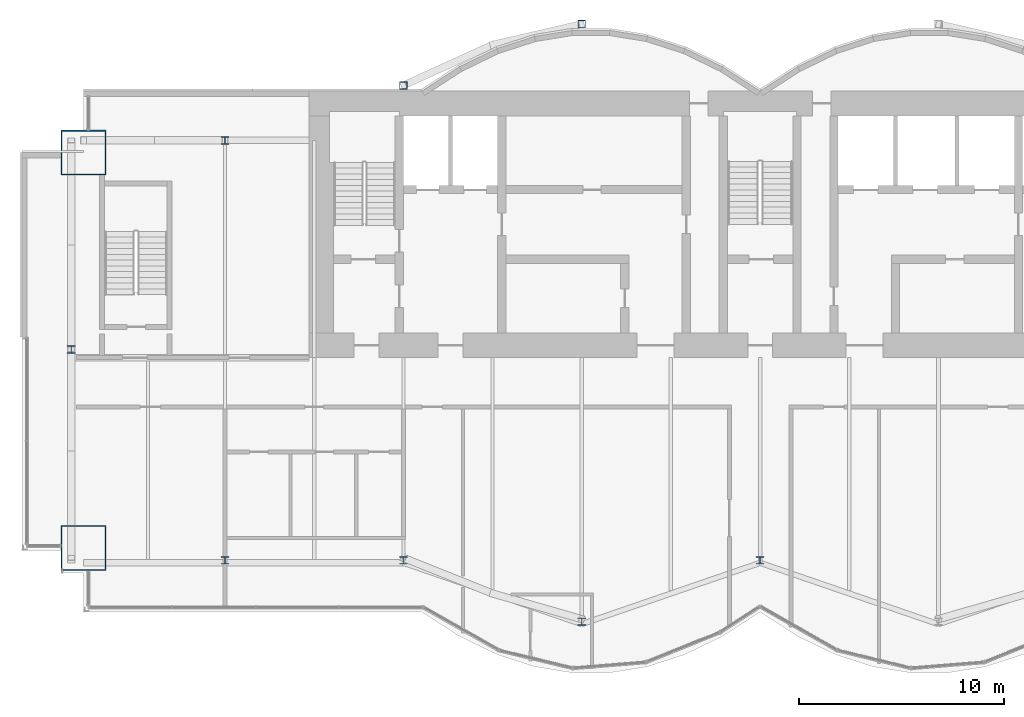
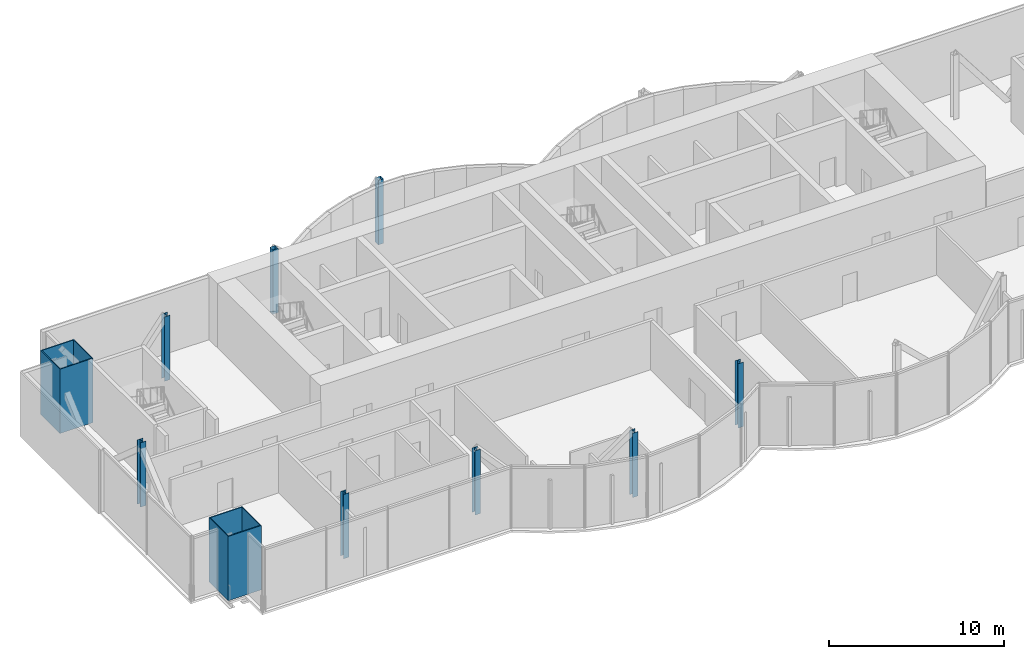
# One storey, part 1 of 16: 10 columns.
"""IFC4 building model written with IfcOpenShell, lengths in metres."""

import ifcopenshell
import ifcopenshell.guid

model = None  # the IFC model being written
_history = None  # IfcOwnerHistory: only IFC2X3 demands one
_inside = {}  # id of a spatial element -> (the spatial element, [elements in it])
_under = {}  # id of a project, library or spatial element -> (it, [spatial elements below it])
_declared = {}  # id of a project -> (the project, [libraries it declares])
_typed = {}  # id of a type object -> (the type object, [elements of that type])
_made_of = {}  # id of a material, layer set ... -> (it, [elements and type objects made of it])


def new_model(schema):
    """Start an empty IFC model of exactly this schema.

    Asked for "IFC4X3", IfcOpenShell would pick the latest addendum, in which some entities
    have other attributes; the version numbers below select the first issue.
    IFC2X3 requires an IfcOwnerHistory on every rooted entity: one is made here for all.
    """
    global model, _history
    if schema == "IFC4X3":
        model = ifcopenshell.file(schema_version=(4, 3, 0, 0))
    else:
        model = ifcopenshell.file(schema=schema)
    _inside.clear()
    _under.clear()
    _declared.clear()
    _typed.clear()
    _made_of.clear()
    _history = None
    if model.schema == "IFC2X3":
        org = make("IfcOrganization", Name="unknown")
        user = make(
            "IfcPersonAndOrganization",
            ThePerson=make("IfcPerson", FamilyName="unknown"),
            TheOrganization=org,
        )
        app = make(
            "IfcApplication",
            ApplicationDeveloper=org,
            Version="unknown",
            ApplicationFullName="unknown",
            ApplicationIdentifier="unknown",
        )
        _history = make(
            "IfcOwnerHistory",
            OwningUser=user,
            OwningApplication=app,
            ChangeAction="ADDED",
            CreationDate=0,
        )
    return model


def make(cls, **values):
    """One entity of the class cls with the attributes given. An attribute that is None is left unset."""
    return model.create_entity(
        cls, **{name: value for name, value in values.items() if value is not None}
    )


def rooted(cls, **values):
    """An entity with a GlobalId (a new one), such as an element, a storey or a relation."""
    return make(cls, GlobalId=ifcopenshell.guid.new(), OwnerHistory=_history, **values)


def si_unit(unit_type, name, prefix=None):
    """IfcSIUnit, for example si_unit("LENGTHUNIT", "METRE", prefix="MILLI")."""
    return make("IfcSIUnit", UnitType=unit_type, Prefix=prefix, Name=name)


def assignment(units):
    """IfcUnitAssignment: the units of a project."""
    return None if units is None else make("IfcUnitAssignment", Units=units)


def point(xyz):
    """IfcCartesianPoint."""
    return None if xyz is None else make("IfcCartesianPoint", Coordinates=xyz)


def direction(xyz):
    """IfcDirection."""
    return None if xyz is None else make("IfcDirection", DirectionRatios=xyz)


def frame(location, z_axis=None, x_axis=None):
    """IfcAxis2Placement3D, a coordinate frame: its origin and axes. An axis left out is left unset."""
    return make(
        "IfcAxis2Placement3D",
        Location=point(location),
        Axis=direction(z_axis),
        RefDirection=direction(x_axis),
    )


def frame_2d(location, x_axis=None):
    """IfcAxis2Placement2D, a coordinate frame in the plane: its origin and x axis."""
    return make(
        "IfcAxis2Placement2D", Location=point(location), RefDirection=direction(x_axis)
    )


def origin():
    """The frame at (0, 0, 0) with its axes left unset."""
    return frame((0.0, 0.0, 0.0))


def origin_2d():
    """The frame at (0, 0) in the plane with its x axis left unset."""
    return frame_2d((0.0, 0.0))


def place(relative_to, where):
    """IfcLocalPlacement: puts the frame where relative to a parent placement (None: the world)."""
    return make(
        "IfcLocalPlacement", PlacementRelTo=relative_to, RelativePlacement=where
    )


def context(
    kind, dimensions, precision=None, world=None, true_north=None, identifier=None
):
    """IfcGeometricRepresentationContext, for example the 3D "Model" context."""
    return make(
        "IfcGeometricRepresentationContext",
        ContextIdentifier=identifier,
        ContextType=kind,
        CoordinateSpaceDimension=dimensions,
        Precision=precision,
        WorldCoordinateSystem=world,
        TrueNorth=true_north,
    )


def subcontext(parent, identifier, kind, view, scale=None):
    """IfcGeometricRepresentationSubContext, for example "Body" below "Model"."""
    return make(
        "IfcGeometricRepresentationSubContext",
        ContextIdentifier=identifier,
        ContextType=kind,
        ParentContext=parent,
        TargetScale=scale,
        TargetView=view,
    )


def project(units=None, contexts=None):
    """IfcProject with its units and contexts."""
    return rooted(
        "IfcProject",
        Name="project",
        RepresentationContexts=contexts,
        UnitsInContext=assignment(units),
    )


def spatial(cls, under=None, at=None, **own):
    """A site, building, storey or space (cls), placed at a placement, below another one or the project."""
    s = rooted(cls, ObjectPlacement=at, **own)
    if under is not None:
        _under.setdefault(under.id(), (under, []))[1].append(s)
    return s


def profile(cls, at=None, kind="AREA", **sizes):
    """A parametric profile (cls). Its sizes go by their IFC names, for example OverallWidth=200.0."""
    return make(cls, ProfileType=kind, Position=at, **sizes)


def hollow_rectangle(**sizes):
    """IfcRectangleHollowProfileDef."""
    return profile("IfcRectangleHollowProfileDef", **sizes)


def i_section(**sizes):
    """IfcIShapeProfileDef."""
    return profile("IfcIShapeProfileDef", **sizes)


def extrude(swept, where, along, depth):
    """IfcExtrudedAreaSolid: the profile swept, set in the frame where, extruded along a direction by depth."""
    return make(
        "IfcExtrudedAreaSolid",
        SweptArea=swept,
        Position=where,
        ExtrudedDirection=direction(along),
        Depth=depth,
    )


def shape(context_of_items, identifier, shape_type, items):
    """IfcShapeRepresentation: the items that make up one representation, for example the "Body"."""
    return make(
        "IfcShapeRepresentation",
        ContextOfItems=context_of_items,
        RepresentationIdentifier=identifier,
        RepresentationType=shape_type,
        Items=items,
    )


def material(Name=None, Category=None):
    """IfcMaterial."""
    return make("IfcMaterial", Name=Name, Category=Category)


def material_profile(
    of_material, cross_section, Name=None, Category=None, Priority=None
):
    """IfcMaterialProfile: a cross section and its material."""
    return make(
        "IfcMaterialProfile",
        Name=Name,
        Material=of_material,
        Profile=cross_section,
        Priority=Priority,
        Category=Category,
    )


def profile_set(profiles, Name=None, composite=None):
    """IfcMaterialProfileSet."""
    return make(
        "IfcMaterialProfileSet",
        Name=Name,
        MaterialProfiles=profiles,
        CompositeProfile=composite,
    )


def made_of(thing, what):
    """Note that an element or type object is made of a material, layer set ...; save() writes the relation."""
    if what is not None:
        _made_of.setdefault(what.id(), (what, []))[1].append(thing)
    return thing


def type_object(cls, material=None, **own):
    """A type object (cls), such as IfcWallType, which elements share."""
    return made_of(rooted(cls, **own), material)


def element(
    cls,
    number,
    at=None,
    inside=None,
    cuts=None,
    type_object=None,
    material=None,
    context=None,
    identifier="Body",
    shape_type=None,
    held_by="IfcProductDefinitionShape",
    body=None,
    shapes=None,
    **own,
):
    """One element of the class cls, such as IfcWall. Its Tag is "e" and its number.

    at: its placement. inside: the storey or other place that contains it. cuts: it is an
    opening in that element (IfcRelVoidsElement). A single representation is given by context,
    identifier, shape_type and body (its items); several are given by shapes. held_by: the class
    of the entity that holds the representations. save() writes the other relations.
    """
    e = rooted(cls, Tag="e%d" % number, ObjectPlacement=at, **own)
    if body is not None:
        shapes = [shape(context, identifier, shape_type, body)]
    if shapes is not None:
        e.Representation = make(held_by, Representations=shapes)
    if inside is not None:
        _inside.setdefault(inside.id(), (inside, []))[1].append(e)
    if cuts is not None:
        rooted(
            "IfcRelVoidsElement", RelatingBuildingElement=cuts, RelatedOpeningElement=e
        )
    if type_object is not None:
        _typed.setdefault(type_object.id(), (type_object, []))[1].append(e)
    return made_of(e, material)


def aggregate(whole, parts):
    """IfcRelAggregates: a whole, such as a stair, and the parts it consists of."""
    return rooted("IfcRelAggregates", RelatingObject=whole, RelatedObjects=parts)


def save(model, path):
    """Write the relations noted so far, then the file.

    IfcRelAggregates (storeys below a building ...), IfcRelContainedInSpatialStructure (elements
    in a storey), IfcRelDefinesByType, IfcRelAssociatesMaterial and IfcRelDeclares: one each for
    every whole, place, type object, material and project.
    """
    for whole, parts in _under.values():
        aggregate(whole, parts)
    for where, things in _inside.values():
        rooted(
            "IfcRelContainedInSpatialStructure",
            RelatedElements=things,
            RelatingStructure=where,
        )
    for kind, things in _typed.values():
        rooted("IfcRelDefinesByType", RelatedObjects=things, RelatingType=kind)
    for what, things in _made_of.values():
        rooted("IfcRelAssociatesMaterial", RelatedObjects=things, RelatingMaterial=what)
    for by, libraries in _declared.values():
        rooted("IfcRelDeclares", RelatingContext=by, RelatedDefinitions=libraries)
    model.write(path)


model = new_model("IFC4")

# Units and contexts
model_context = context("Model", 3, precision=1e-05, world=origin(), true_north=direction((0.0, 1.0)))
body_context = subcontext(model_context, "Body", "Model", "MODEL_VIEW")
ifc_project = project(units=[si_unit("LENGTHUNIT", "METRE"), si_unit("AREAUNIT", "SQUARE_METRE"), si_unit("VOLUMEUNIT", "CUBIC_METRE"), si_unit("PLANEANGLEUNIT", "RADIAN"), si_unit("MASSUNIT", "GRAM", prefix="KILO")], contexts=[model_context])

# Site, building, storey
site_placement = place(None, origin())
site = spatial("IfcSite", under=ifc_project, at=site_placement, CompositionType="ELEMENT")
building_placement = place(site_placement, origin())
building = spatial("IfcBuilding", under=site, at=building_placement, Name="Bicima Exchange Tower", CompositionType="ELEMENT")
storey_placement = place(building_placement, frame((0.0, 0.0, 329.0)))
storey = spatial("IfcBuildingStorey", under=building, at=storey_placement, Name="L74", CompositionType="ELEMENT", Elevation=329.0)

# Columns
ifc_material_1 = material(Name="Steel ASTM A572 Gr 50", Category="steel")
ifc_material_profile_1 = material_profile(ifc_material_1, hollow_rectangle(XDim=2.199951171875, YDim=2.199951171875, WallThickness=0.06005859375, at=origin_2d()))
ifc_profile_set_1 = profile_set([ifc_material_profile_1], Name="Steel ASTM A572 Gr 50")
column_type_1 = type_object("IfcColumnType", Name="Mega column BOX 2200x2200x60", PredefinedType="COLUMN", material=ifc_profile_set_1)
for number, where, z_axis, x_axis, name in (
    (1, (-33.0, -22.285888671875, 0.0), (0.0, 0.0, 1.0), (1.0, 0.0, 0.0), "Mega column mega-33.0f"),
    (2, (-33.0, -3.0, 0.0), (0.0, 0.0, 1.0), (1.0, 0.0, 0.0), "Mega column mega-33.0r"),
):
    element("IfcColumn", number, at=place(storey_placement, frame(where, z_axis=z_axis, x_axis=x_axis)), inside=storey, type_object=column_type_1, Name=name, PredefinedType="COLUMN", context=body_context, shape_type="SweptSolid", body=[
        extrude(hollow_rectangle(XDim=2.199951171875, YDim=2.199951171875, WallThickness=0.06005859375, at=origin_2d()), origin(), (0.0, 0.0, 1.0), 4.5),
    ])
ifc_material_2 = material(Name="Steel ASTM A992 Gr 50", Category="steel")
ifc_material_profile_2 = material_profile(ifc_material_2, i_section(OverallWidth=0.368408203125, OverallDepth=0.355712890625, WebThickness=0.01123046875, FlangeThickness=0.01806640625, at=origin_2d()))
ifc_profile_set_2 = profile_set([ifc_material_profile_2], Name="Steel ASTM A992 Gr 50")
column_type_2 = type_object("IfcColumnType", Name="Perimeter column W14x90", PredefinedType="COLUMN", material=ifc_profile_set_2)
for number, where, z_axis, x_axis, name in (
    (3, (-26.10009765625, -22.885986328125, 0.0), (0.0, 0.0, 1.0), (1.0, 0.0, 0.0), "Perimeter column grav-26.1f"),
    (4, (-26.10009765625, -2.39990234375, 0.0), (0.0, 0.0, 1.0), (1.0, 0.0, 0.0), "Perimeter column grav-26.1r"),
    (5, (-17.39990234375, -22.885986328125, 0.0), (0.0, 0.0, 1.0), (1.0, 0.0, 0.0), "Perimeter column grav-17.4f"),
    (6, (-8.699951171875, -25.877197265625, 0.0), (0.0, 0.0, 1.0), (1.0, 0.0, 0.0), "Perimeter column grav-8.7f"),
    (7, (0.0, -22.885986328125, 0.0), (0.0, 0.0, 1.0), (1.0, 0.0, 0.0), "Perimeter column grav-0.0f"),
    (8, (-33.60009765625, -12.60009765625, 0.0), (0.0, 0.0, 1.0), (1.0, 0.0, 0.0), "End column end-33.6e"),
):
    element("IfcColumn", number, at=place(storey_placement, frame(where, z_axis=z_axis, x_axis=x_axis)), inside=storey, type_object=column_type_2, Name=name, PredefinedType="COLUMN", context=body_context, shape_type="SweptSolid", body=[
        extrude(i_section(OverallWidth=0.368408203125, OverallDepth=0.355712890625, WebThickness=0.01123046875, FlangeThickness=0.01806640625, at=origin_2d()), origin(), (0.0, 0.0, 1.0), 4.5),
    ])
ifc_material_profile_3 = material_profile(ifc_material_1, hollow_rectangle(XDim=0.355712890625, YDim=0.355712890625, WallThickness=0.01171875, at=origin_2d()))
ifc_profile_set_3 = profile_set([ifc_material_profile_3], Name="Steel ASTM A572 Gr 50")
column_type_3 = type_object("IfcColumnType", Name="Rear pilaster HSS14x14x1/2", PredefinedType="COLUMN", material=ifc_profile_set_3)
for number, where, z_axis, x_axis, name in (
    (9, (-8.699951171875, 3.26904296875, 0.0), (0.0, 0.0, 1.0), (1.0, 0.0, 0.0), "Rear pilaster rexo-8.7r"),
    (10, (-17.39990234375, 0.278076171875, 0.0), (0.0, 0.0, 1.0), (1.0, 0.0, 0.0), "Rear pilaster rexo-17.4r"),
):
    element("IfcColumn", number, at=place(storey_placement, frame(where, z_axis=z_axis, x_axis=x_axis)), inside=storey, type_object=column_type_3, Name=name, PredefinedType="COLUMN", context=body_context, shape_type="SweptSolid", body=[
        extrude(hollow_rectangle(XDim=0.355712890625, YDim=0.355712890625, WallThickness=0.01171875, at=origin_2d()), origin(), (0.0, 0.0, 1.0), 4.5),
    ])

save(model, "model.ifc")
